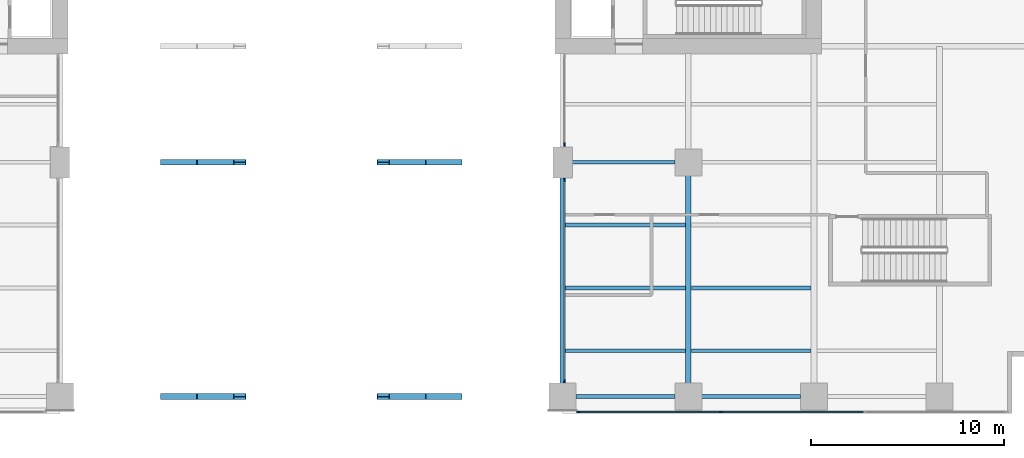
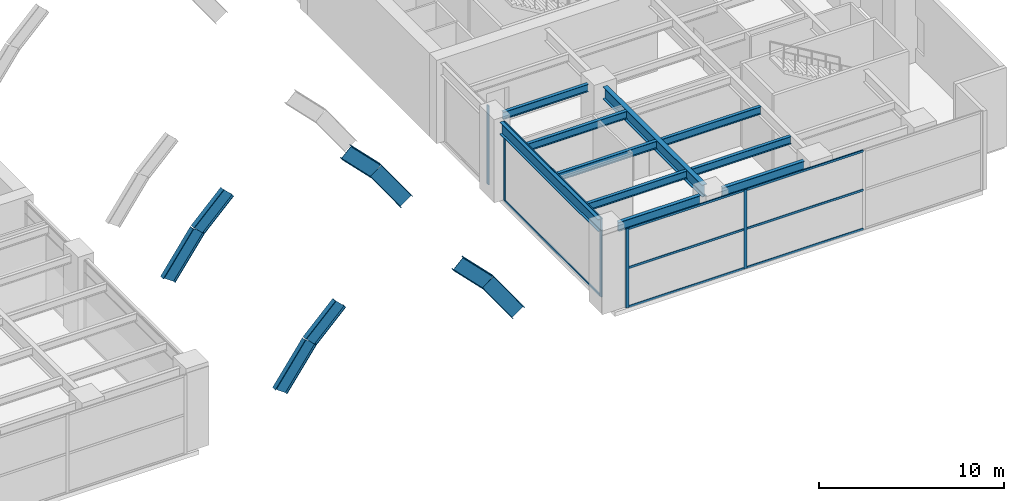
# One storey, part 3 of 18: 21 members, 10 beams, 3 elements without a shape of their own.
"""IFC4 building model written with IfcOpenShell, lengths in metres."""

from ifc_helpers import new_model, si_unit, direction, frame, origin, origin_2d, place, context, subcontext, project, spatial, rectangle, i_section, extrude, material, layer, layer_set, material_profile, profile_set, type_object, element, aggregate, save


model = new_model("IFC4")

# Units and contexts
model_context = context("Model", 3, precision=1e-05, world=origin(), true_north=direction((0.0, 1.0)))
body_context = subcontext(model_context, "Body", "Model", "MODEL_VIEW")
ifc_project = project(units=[si_unit("LENGTHUNIT", "METRE"), si_unit("AREAUNIT", "SQUARE_METRE"), si_unit("VOLUMEUNIT", "CUBIC_METRE"), si_unit("PLANEANGLEUNIT", "RADIAN"), si_unit("MASSUNIT", "GRAM", prefix="KILO")], contexts=[model_context])

# Site, building, storey
site_placement = place(None, origin())
site = spatial("IfcSite", under=ifc_project, at=site_placement, CompositionType="ELEMENT")
building_placement = place(site_placement, origin())
building = spatial("IfcBuilding", under=site, at=building_placement, Name="Putna Gate Headquarters", CompositionType="ELEMENT")
storey_placement = place(building_placement, frame((0.0, 0.0, 11.5)))
storey = spatial("IfcBuildingStorey", under=building, at=storey_placement, Name="L02", CompositionType="ELEMENT", Elevation=11.5)

# Beams
ifc_material_1 = material(Name="Steel S355J2", Category="steel")
ifc_material_profile_1 = material_profile(ifc_material_1, i_section(OverallWidth=0.300048828125, OverallDepth=0.800048828125, WebThickness=0.017578125, FlangeThickness=0.032958984375, at=origin_2d()), Name="Steel S355J2")
ifc_profile_set_1 = profile_set([ifc_material_profile_1], Name="Steel S355J2")
beam_type_1 = type_object("IfcBeamType", Name="BM-GIRD-P-HEB800", PredefinedType="USERDEFINED", material=ifc_profile_set_1)
beam_1_placement = place(storey_placement, frame((52.0, 1.568115234375, 4.820068359375), z_axis=(0.0, 1.0, 0.0), x_axis=(-1.0, 0.0, 0.0)))
element("IfcBeam", 1, at=beam_1_placement, inside=storey, type_object=beam_type_1, Name="L02 South Primary Girder X52-1", ObjectType="GIRDER", PredefinedType="USERDEFINED", context=body_context, shape_type="SweptSolid", body=[
    extrude(i_section(OverallWidth=0.300048828125, OverallDepth=0.800048828125, WebThickness=0.017578125, FlangeThickness=0.032958984375, at=origin_2d()), origin(), (0.0, 0.0, 1.0), 10.643798828125),
])
beam_2_placement = place(storey_placement, frame((58.5, 1.568115234375, 4.820068359375), z_axis=(0.0, 1.0, 0.0), x_axis=(-1.0, 0.0, 0.0)))
element("IfcBeam", 2, at=beam_2_placement, inside=storey, type_object=beam_type_1, Name="L02 South Primary Girder X58-1", ObjectType="GIRDER", PredefinedType="USERDEFINED", context=body_context, shape_type="SweptSolid", body=[
    extrude(i_section(OverallWidth=0.300048828125, OverallDepth=0.800048828125, WebThickness=0.017578125, FlangeThickness=0.032958984375, at=origin_2d()), origin(), (0.0, 0.0, 1.0), 10.743896484375),
])
ifc_material_profile_2 = material_profile(ifc_material_1, i_section(OverallWidth=0.199951171875, OverallDepth=0.5, WebThickness=0.01025390625, FlangeThickness=0.01611328125, at=origin_2d()), Name="Steel S355J2")
ifc_profile_set_2 = profile_set([ifc_material_profile_2], Name="Steel S355J2")
beam_type_2 = type_object("IfcBeamType", Name="BM-SEC-P-IPE500", PredefinedType="BEAM", material=ifc_profile_set_2)
for number, where, z_axis, x_axis, name in (
    (3, (52.154052734375, 3.25, 4.969970703125), (1.0, 0.0, 0.0), (0.0, 1.0, 0.0), "L02 South Secondary Beam 5"),
    (4, (52.154052734375, 6.5, 4.969970703125), (1.0, 0.0, 0.0), (0.0, 1.0, 0.0), "L02 South Secondary Beam 5"),
    (5, (52.154052734375, 9.75, 4.969970703125), (1.0, 0.0, 0.0), (0.0, 1.0, 0.0), "L02 South Secondary Beam 5"),
):
    element("IfcBeam", number, at=place(storey_placement, frame(where, z_axis=z_axis, x_axis=x_axis)), inside=storey, type_object=beam_type_2, Name=name, PredefinedType="BEAM", context=body_context, shape_type="SweptSolid", body=[
        extrude(i_section(OverallWidth=0.199951171875, OverallDepth=0.5, WebThickness=0.01025390625, FlangeThickness=0.01611328125, at=origin_2d()), origin(), (0.0, 0.0, 1.0), 6.19189453125),
    ])
beam_3_placement = place(storey_placement, frame((52.488037109375, 13.0, 4.969970703125), z_axis=(1.0, 0.0, 0.0), x_axis=(0.0, 1.0, 0.0)))
element("IfcBeam", 6, at=beam_3_placement, inside=storey, type_object=beam_type_2, Name="L02 South Secondary Beam 5", PredefinedType="BEAM", context=body_context, shape_type="SweptSolid", body=[
    extrude(i_section(OverallWidth=0.199951171875, OverallDepth=0.5, WebThickness=0.01025390625, FlangeThickness=0.01611328125, at=origin_2d()), origin(), (0.0, 0.0, 1.0), 5.323974609375),
])
for number, where, z_axis, x_axis, name in (
    (7, (58.654052734375, 3.25, 4.969970703125), (1.0, 0.0, 0.0), (0.0, 1.0, 0.0), "L02 South Secondary Beam 6"),
    (8, (58.654052734375, 6.5, 4.969970703125), (1.0, 0.0, 0.0), (0.0, 1.0, 0.0), "L02 South Secondary Beam 6"),
):
    element("IfcBeam", number, at=place(storey_placement, frame(where, z_axis=z_axis, x_axis=x_axis)), inside=storey, type_object=beam_type_2, Name=name, PredefinedType="BEAM", context=body_context, shape_type="SweptSolid", body=[
        extrude(i_section(OverallWidth=0.199951171875, OverallDepth=0.5, WebThickness=0.01025390625, FlangeThickness=0.01611328125, at=origin_2d()), origin(), (0.0, 0.0, 1.0), 6.19189453125),
    ])
ifc_material_profile_3 = material_profile(ifc_material_1, i_section(OverallWidth=0.219970703125, OverallDepth=0.60009765625, WebThickness=0.011962890625, FlangeThickness=0.01904296875, at=origin_2d()), Name="Steel S355J2")
ifc_profile_set_3 = profile_set([ifc_material_profile_3], Name="Steel S355J2")
beam_type_3 = type_object("IfcBeamType", Name="BM-SPAN-P-IPE600", PredefinedType="SPANDREL", material=ifc_profile_set_3)
for number, where, z_axis, x_axis, name in (
    (9, (52.68798828125, 0.8798828125, 4.919921875), (1.0, 0.0, 0.0), (0.0, 1.0, 0.0), "L02 S Perimeter Spandrel 5"),
    (10, (59.18798828125, 0.8798828125, 4.919921875), (1.0, 0.0, 0.0), (0.0, 1.0, 0.0), "L02 S Perimeter Spandrel 6"),
):
    element("IfcBeam", number, at=place(storey_placement, frame(where, z_axis=z_axis, x_axis=x_axis)), inside=storey, type_object=beam_type_3, Name=name, PredefinedType="SPANDREL", context=body_context, shape_type="SweptSolid", body=[
        extrude(i_section(OverallWidth=0.219970703125, OverallDepth=0.60009765625, WebThickness=0.011962890625, FlangeThickness=0.01904296875, at=origin_2d()), origin(), (0.0, 0.0, 1.0), 5.1240234375),
    ])

# Members
ifc_material_2 = material(Name="Steel S460M", Category="steel")
ifc_material_profile_4 = material_profile(ifc_material_2, i_section(OverallWidth=0.302001953125, OverallDepth=0.909912109375, WebThickness=0.02099609375, FlangeThickness=0.0400390625, at=origin_2d()), Name="Steel S460M")
ifc_profile_set_4 = profile_set([ifc_material_profile_4], Name="Steel S460M")
member_type_1 = type_object("IfcMemberType", Name="MEM-ARCH-CHORD-HEM900", PredefinedType="STRUT", material=ifc_profile_set_4)
member_1_placement = place(storey_placement, frame((31.5712890625, 0.8798828125, 1.44189453125), z_axis=(0.577111975732, 0.0, 0.816665027699), x_axis=(0.0, 1.0, 0.0)))
element("IfcMember", 11, at=member_1_placement, inside=storey, type_object=member_type_1, Name="Giant Parabolic Arch Chord S-4", PredefinedType="STRUT", context=body_context, shape_type="SweptSolid", body=[
    extrude(i_section(OverallWidth=0.302001953125, OverallDepth=0.909912109375, WebThickness=0.02099609375, FlangeThickness=0.0400390625, at=origin_2d()), origin(), (0.0, 0.0, 1.0), 3.218505859375),
])
for number, where, z_axis, x_axis, name in (
    (12, (33.4287109375, 0.8798828125, 4.0703125), (0.703166784248, 0.0, 0.711024945786), (0.0, 1.0, 0.0), "Giant Parabolic Arch Chord S-5"),
    (13, (42.71435546875, 0.8798828125, 5.947998046875), (0.703166784248, 0.0, -0.711024945786), (0.0, 1.0, 0.0), "Giant Parabolic Arch Chord S-10"),
):
    element("IfcMember", number, at=place(storey_placement, frame(where, z_axis=z_axis, x_axis=x_axis)), inside=storey, type_object=member_type_1, Name=name, PredefinedType="STRUT", context=body_context, shape_type="SweptSolid", body=[
        extrude(i_section(OverallWidth=0.302001953125, OverallDepth=0.909912109375, WebThickness=0.02099609375, FlangeThickness=0.0400390625, at=origin_2d()), origin(), (0.0, 0.0, 1.0), 2.640869140625),
    ])
member_2_placement = place(storey_placement, frame((44.5712890625, 0.8798828125, 4.0703125), z_axis=(0.577111975732, 0.0, -0.816665027699), x_axis=(0.0, 1.0, 0.0)))
element("IfcMember", 14, at=member_2_placement, inside=storey, type_object=member_type_1, Name="Giant Parabolic Arch Chord S-11", PredefinedType="STRUT", context=body_context, shape_type="SweptSolid", body=[
    extrude(i_section(OverallWidth=0.302001953125, OverallDepth=0.909912109375, WebThickness=0.02099609375, FlangeThickness=0.0400390625, at=origin_2d()), origin(), (0.0, 0.0, 1.0), 3.218505859375),
])
ifc_material_profile_5 = material_profile(ifc_material_2, i_section(OverallWidth=0.302001953125, OverallDepth=0.909912109375, WebThickness=0.02099609375, FlangeThickness=0.0400390625, at=origin_2d()), Name="Steel S460M")
ifc_profile_set_5 = profile_set([ifc_material_profile_5], Name="Steel S460M")
member_type_2 = type_object("IfcMemberType", Name="MEM-ARCH-CHORD-INT-HEM900", PredefinedType="STRUT", material=ifc_profile_set_5)
member_3_placement = place(storey_placement, frame((31.5712890625, 13.0, 1.44189453125), z_axis=(0.577111975732, 0.0, 0.816665027699), x_axis=(0.0, 1.0, 0.0)))
element("IfcMember", 15, at=member_3_placement, inside=storey, type_object=member_type_2, Name="Giant Parabolic Arch Chord CS-4", PredefinedType="STRUT", context=body_context, shape_type="SweptSolid", body=[
    extrude(i_section(OverallWidth=0.302001953125, OverallDepth=0.909912109375, WebThickness=0.02099609375, FlangeThickness=0.0400390625, at=origin_2d()), origin(), (0.0, 0.0, 1.0), 3.218505859375),
])
for number, where, z_axis, x_axis, name in (
    (16, (33.4287109375, 13.0, 4.0703125), (0.703166784248, 0.0, 0.711024945786), (0.0, 1.0, 0.0), "Giant Parabolic Arch Chord CS-5"),
    (17, (42.71435546875, 13.0, 5.947998046875), (0.703166784248, 0.0, -0.711024945786), (0.0, 1.0, 0.0), "Giant Parabolic Arch Chord CS-10"),
):
    element("IfcMember", number, at=place(storey_placement, frame(where, z_axis=z_axis, x_axis=x_axis)), inside=storey, type_object=member_type_2, Name=name, PredefinedType="STRUT", context=body_context, shape_type="SweptSolid", body=[
        extrude(i_section(OverallWidth=0.302001953125, OverallDepth=0.909912109375, WebThickness=0.02099609375, FlangeThickness=0.0400390625, at=origin_2d()), origin(), (0.0, 0.0, 1.0), 2.640869140625),
    ])
member_4_placement = place(storey_placement, frame((44.5712890625, 13.0, 4.0703125), z_axis=(0.577111975732, 0.0, -0.816665027699), x_axis=(0.0, 1.0, 0.0)))
element("IfcMember", 18, at=member_4_placement, inside=storey, type_object=member_type_2, Name="Giant Parabolic Arch Chord CS-11", PredefinedType="STRUT", context=body_context, shape_type="SweptSolid", body=[
    extrude(i_section(OverallWidth=0.302001953125, OverallDepth=0.909912109375, WebThickness=0.02099609375, FlangeThickness=0.0400390625, at=origin_2d()), origin(), (0.0, 0.0, 1.0), 3.218505859375),
])

# Curtain wall, members
ifc_material_3 = material(Name="Anodised bronze aluminium curtain wall", Category="aluminium")
ifc_layer_1 = layer(ifc_material_3, 0.179931640625)
ifc_layer_set_1 = layer_set([ifc_layer_1], Name="Anodised bronze aluminium curtain wall")
curtain_wall_type_1 = type_object("IfcCurtainWallType", Name="CW-SYS-ATR", PredefinedType="USERDEFINED", material=ifc_layer_set_1)
curtain_wall_1_placement = place(storey_placement, origin())
curtain_wall_1 = element("IfcCurtainWall", 19, at=curtain_wall_1_placement, inside=storey, type_object=curtain_wall_type_1, Name="L02 Arch Flank Glazing E-S1", ObjectType="ATRIUM GLAZING", PredefinedType="USERDEFINED")
ifc_material_4 = material(Name="Anodised bronze aluminium EN AW-6060", Category="aluminium")
ifc_material_profile_6 = material_profile(ifc_material_4, rectangle(XDim=0.070068359375, YDim=0.179931640625, at=origin_2d()), Name="Anodised bronze aluminium EN AW-6060")
ifc_profile_set_6 = profile_set([ifc_material_profile_6], Name="Anodised bronze aluminium EN AW-6060")
member_type_3 = type_object("IfcMemberType", Name="MULL-CWM-AT", PredefinedType="MULLION", material=ifc_profile_set_6)
member_5_placement = place(storey_placement, frame((52.10009765625, 1.68505859375, 0.0), z_axis=(0.0, 0.0, 1.0), x_axis=(-1.0, 0.0, 0.0)))
member_5 = element("IfcMember", 20, at=member_5_placement, type_object=member_type_3, Name="CWS-AT mullion 1", PredefinedType="MULLION", context=body_context, shape_type="SweptSolid", body=[
    extrude(rectangle(XDim=0.070068359375, YDim=0.179931640625, at=origin_2d()), origin(), (0.0, 0.0, 1.0), 5.219970703125),
])
member_6_placement = place(storey_placement, frame((52.10009765625, 12.0849609375, 0.0), z_axis=(0.0, 0.0, 1.0), x_axis=(-1.0, 0.0, 0.0)))
member_6 = element("IfcMember", 21, at=member_6_placement, type_object=member_type_3, Name="CWS-AT mullion 2", PredefinedType="MULLION", context=body_context, shape_type="SweptSolid", body=[
    extrude(rectangle(XDim=0.070068359375, YDim=0.179931640625, at=origin_2d()), origin(), (0.0, 0.0, 1.0), 5.219970703125),
])

# Curtain wall, member
curtain_wall_2_placement = place(storey_placement, origin())
curtain_wall_2 = element("IfcCurtainWall", 22, at=curtain_wall_2_placement, inside=storey, type_object=curtain_wall_type_1, Name="L02 Arch Flank Glazing E-S2", ObjectType="ATRIUM GLAZING", PredefinedType="USERDEFINED")
member_7_placement = place(storey_placement, frame((52.10009765625, 13.9150390625, 0.0), z_axis=(0.0, 0.0, 1.0), x_axis=(-1.0, 0.0, 0.0)))
member_7 = element("IfcMember", 23, at=member_7_placement, type_object=member_type_3, Name="CWS-AT mullion 1", PredefinedType="MULLION", context=body_context, shape_type="SweptSolid", body=[
    extrude(rectangle(XDim=0.070068359375, YDim=0.179931640625, at=origin_2d()), origin(), (0.0, 0.0, 1.0), 5.219970703125),
])
aggregate(curtain_wall_2, [member_7])

# Curtain wall, members
ifc_layer_2 = layer(ifc_material_3, 0.179931640625)
ifc_layer_set_2 = layer_set([ifc_layer_2], Name="Anodised bronze aluminium curtain wall")
curtain_wall_type_2 = type_object("IfcCurtainWallType", Name="CW-SYS-POD", PredefinedType="USERDEFINED", material=ifc_layer_set_2)
curtain_wall_3_placement = place(storey_placement, origin())
curtain_wall_3 = element("IfcCurtainWall", 24, at=curtain_wall_3_placement, inside=storey, type_object=curtain_wall_type_2, Name="L02 South East Curtain Wall", ObjectType="STICK CURTAIN WALL", PredefinedType="USERDEFINED")
ifc_material_profile_7 = material_profile(ifc_material_4, rectangle(XDim=0.070068359375, YDim=0.179931640625, at=origin_2d()), Name="Anodised bronze aluminium EN AW-6060")
ifc_profile_set_7 = profile_set([ifc_material_profile_7], Name="Anodised bronze aluminium EN AW-6060")
member_type_4 = type_object("IfcMemberType", Name="MULL-CWM-P", PredefinedType="MULLION", material=ifc_profile_set_7)
member_8_placement = place(storey_placement, frame((52.81494140625, 0.080078125, 0.0), z_axis=(0.0, 0.0, 1.0), x_axis=(0.0, 1.0, 0.0)))
member_8 = element("IfcMember", 25, at=member_8_placement, type_object=member_type_4, Name="CWS-P mullion 1", PredefinedType="MULLION", context=body_context, shape_type="SweptSolid", body=[
    extrude(rectangle(XDim=0.070068359375, YDim=0.179931640625, at=origin_2d()), origin(), (0.0, 0.0, 1.0), 5.219970703125),
])
member_9_placement = place(storey_placement, frame((60.186767578125, 0.080078125, 0.0), z_axis=(0.0, 0.0, 1.0), x_axis=(0.0, 1.0, 0.0)))
member_9 = element("IfcMember", 26, at=member_9_placement, type_object=member_type_4, Name="CWS-P mullion 2", PredefinedType="MULLION", context=body_context, shape_type="SweptSolid", body=[
    extrude(rectangle(XDim=0.070068359375, YDim=0.179931640625, at=origin_2d()), origin(), (0.0, 0.0, 1.0), 5.219970703125),
])

# Member
ifc_material_profile_8 = material_profile(ifc_material_4, rectangle(XDim=0.070068359375, YDim=0.139892578125, at=origin_2d()), Name="Anodised bronze aluminium EN AW-6060")
ifc_profile_set_8 = profile_set([ifc_material_profile_8], Name="Anodised bronze aluminium EN AW-6060")
member_type_5 = type_object("IfcMemberType", Name="TRAN-CWT-AT", PredefinedType="USERDEFINED", material=ifc_profile_set_8)
member_10_placement = place(storey_placement, frame((52.10009765625, 1.719970703125, 0.034912109375), z_axis=(0.0, 1.0, 0.0), x_axis=(-1.0, 0.0, 0.0)))
member_10 = element("IfcMember", 27, at=member_10_placement, type_object=member_type_5, Name="CWS-AT transom 1.1", ObjectType="TRANSOM", PredefinedType="USERDEFINED", context=body_context, shape_type="SweptSolid", body=[
    extrude(rectangle(XDim=0.070068359375, YDim=0.139892578125, at=origin_2d()), origin(), (0.0, 0.0, 1.0), 10.330078125),
])

member_11_placement = place(storey_placement, frame((52.10009765625, 1.719970703125, 5.18505859375), z_axis=(0.0, 1.0, 0.0), x_axis=(-1.0, 0.0, 0.0)))
member_11 = element("IfcMember", 28, at=member_11_placement, type_object=member_type_5, Name="CWS-AT transom 1.2", ObjectType="TRANSOM", PredefinedType="USERDEFINED", context=body_context, shape_type="SweptSolid", body=[
    extrude(rectangle(XDim=0.070068359375, YDim=0.139892578125, at=origin_2d()), origin(), (0.0, 0.0, 1.0), 10.330078125),
])

aggregate(curtain_wall_1, [member_5, member_6, member_10, member_11])

ifc_material_profile_9 = material_profile(ifc_material_4, rectangle(XDim=0.070068359375, YDim=0.139892578125, at=origin_2d()), Name="Anodised bronze aluminium EN AW-6060")
ifc_profile_set_9 = profile_set([ifc_material_profile_9], Name="Anodised bronze aluminium EN AW-6060")
member_type_6 = type_object("IfcMemberType", Name="TRAN-CWT-P", PredefinedType="USERDEFINED", material=ifc_profile_set_9)
member_12_placement = place(storey_placement, frame((52.85009765625, 0.080078125, 0.034912109375), z_axis=(1.0, 0.0, 0.0), x_axis=(0.0, 1.0, 0.0)))
member_12 = element("IfcMember", 29, at=member_12_placement, type_object=member_type_6, Name="CWS-P transom 1.1", ObjectType="TRANSOM", PredefinedType="USERDEFINED", context=body_context, shape_type="SweptSolid", body=[
    extrude(rectangle(XDim=0.070068359375, YDim=0.139892578125, at=origin_2d()), origin(), (0.0, 0.0, 1.0), 7.301513671875),
])

member_13_placement = place(storey_placement, frame((52.85009765625, 0.080078125, 2.610107421875), z_axis=(1.0, 0.0, 0.0), x_axis=(0.0, 1.0, 0.0)))
member_13 = element("IfcMember", 30, at=member_13_placement, type_object=member_type_6, Name="CWS-P transom 1.2", ObjectType="TRANSOM", PredefinedType="USERDEFINED", context=body_context, shape_type="SweptSolid", body=[
    extrude(rectangle(XDim=0.070068359375, YDim=0.139892578125, at=origin_2d()), origin(), (0.0, 0.0, 1.0), 7.301513671875),
])

member_14_placement = place(storey_placement, frame((52.85009765625, 0.080078125, 5.18505859375), z_axis=(1.0, 0.0, 0.0), x_axis=(0.0, 1.0, 0.0)))
member_14 = element("IfcMember", 31, at=member_14_placement, type_object=member_type_6, Name="CWS-P transom 1.3", ObjectType="TRANSOM", PredefinedType="USERDEFINED", context=body_context, shape_type="SweptSolid", body=[
    extrude(rectangle(XDim=0.070068359375, YDim=0.139892578125, at=origin_2d()), origin(), (0.0, 0.0, 1.0), 7.301513671875),
])

member_15_placement = place(storey_placement, frame((60.2216796875, 0.080078125, 0.034912109375), z_axis=(1.0, 0.0, 0.0), x_axis=(0.0, 1.0, 0.0)))
member_15 = element("IfcMember", 32, at=member_15_placement, type_object=member_type_6, Name="CWS-P transom 2.1", ObjectType="TRANSOM", PredefinedType="USERDEFINED", context=body_context, shape_type="SweptSolid", body=[
    extrude(rectangle(XDim=0.070068359375, YDim=0.139892578125, at=origin_2d()), origin(), (0.0, 0.0, 1.0), 7.336669921875),
])

member_16_placement = place(storey_placement, frame((60.2216796875, 0.080078125, 2.610107421875), z_axis=(1.0, 0.0, 0.0), x_axis=(0.0, 1.0, 0.0)))
member_16 = element("IfcMember", 33, at=member_16_placement, type_object=member_type_6, Name="CWS-P transom 2.2", ObjectType="TRANSOM", PredefinedType="USERDEFINED", context=body_context, shape_type="SweptSolid", body=[
    extrude(rectangle(XDim=0.070068359375, YDim=0.139892578125, at=origin_2d()), origin(), (0.0, 0.0, 1.0), 7.336669921875),
])

member_17_placement = place(storey_placement, frame((60.2216796875, 0.080078125, 5.18505859375), z_axis=(1.0, 0.0, 0.0), x_axis=(0.0, 1.0, 0.0)))
member_17 = element("IfcMember", 34, at=member_17_placement, type_object=member_type_6, Name="CWS-P transom 2.3", ObjectType="TRANSOM", PredefinedType="USERDEFINED", context=body_context, shape_type="SweptSolid", body=[
    extrude(rectangle(XDim=0.070068359375, YDim=0.139892578125, at=origin_2d()), origin(), (0.0, 0.0, 1.0), 7.336669921875),
])

aggregate(curtain_wall_3, [member_8, member_9, member_12, member_13, member_14, member_15, member_16, member_17])

save(model, "model.ifc")
